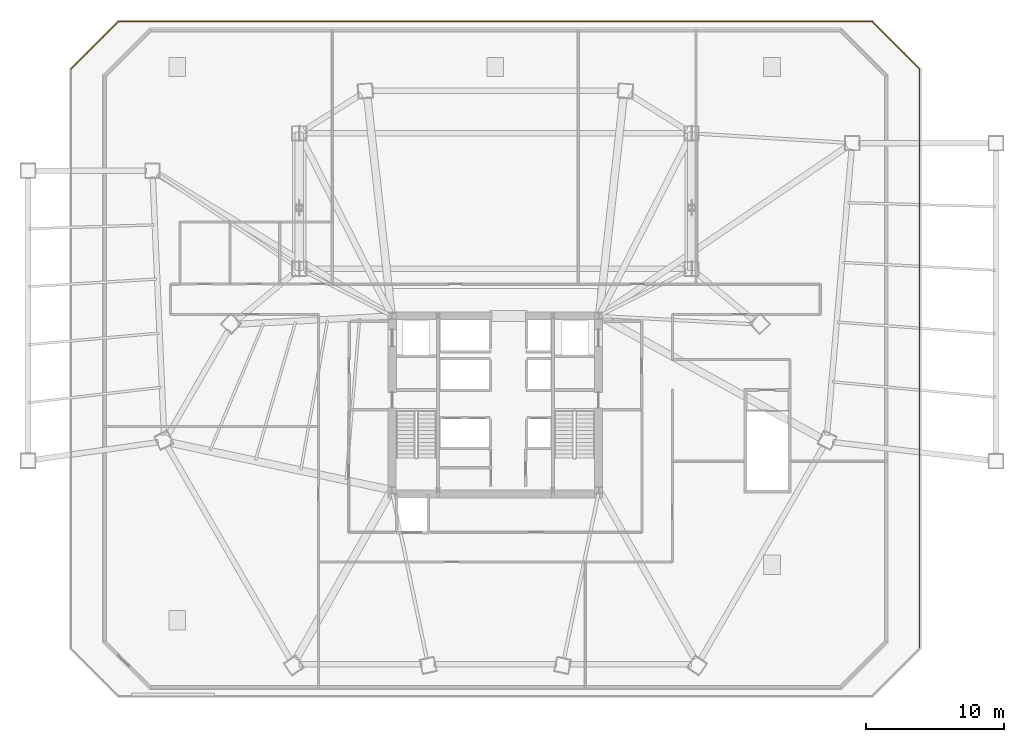
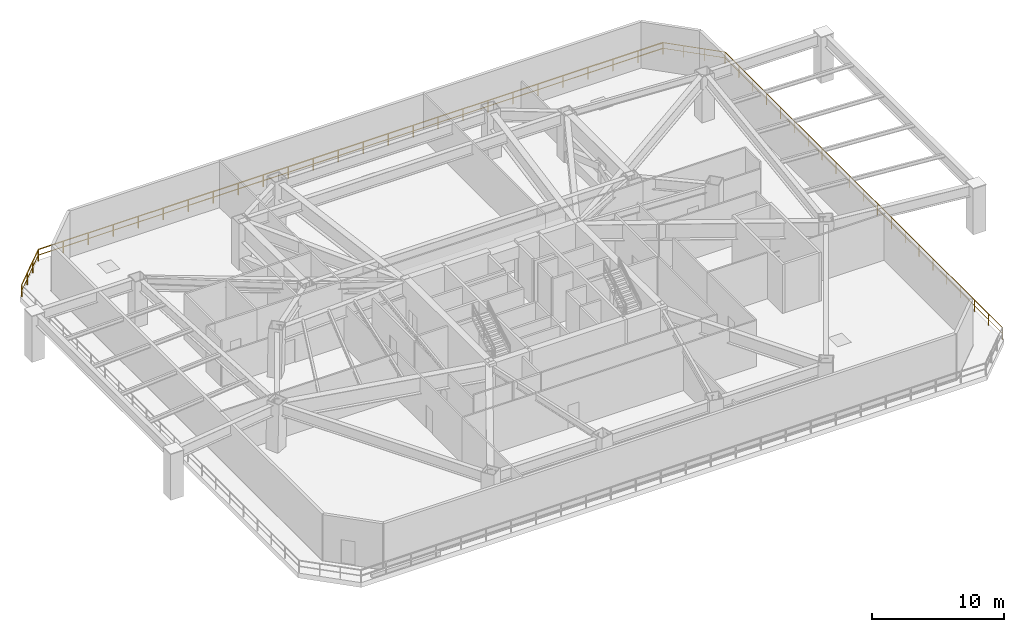
# One storey, part 13 of 13: 4 railings.
"""IFC4 building model written with IfcOpenShell, lengths in metres."""

from ifc_helpers import new_model, si_unit, direction, frame, origin, origin_2d, place, context, subcontext, project, spatial, rectangle, extrude, material, layer, layer_set, type_object, element, save


model = new_model("IFC4")

# Units and contexts
model_context = context("Model", 3, precision=1e-05, world=origin(), true_north=direction((0.0, 1.0)))
body_context = subcontext(model_context, "Body", "Model", "MODEL_VIEW")
ifc_project = project(units=[si_unit("LENGTHUNIT", "METRE"), si_unit("AREAUNIT", "SQUARE_METRE"), si_unit("VOLUMEUNIT", "CUBIC_METRE"), si_unit("PLANEANGLEUNIT", "RADIAN"), si_unit("MASSUNIT", "GRAM", prefix="KILO")], contexts=[model_context])

# Site, building, storey
site_placement = place(None, origin())
site = spatial("IfcSite", under=ifc_project, at=site_placement, CompositionType="ELEMENT")
building_placement = place(site_placement, origin())
building = spatial("IfcBuilding", under=site, at=building_placement, Name="Caelisora Broadcast Tower", CompositionType="ELEMENT")
storey_placement = place(building_placement, frame((0.0, 0.0, 23.10009765625)))
storey = spatial("IfcBuildingStorey", under=building, at=storey_placement, Name="L05", CompositionType="ELEMENT", Elevation=23.10009765625)

# Railings
ifc_material = material(Name="Laminated Glass and Stainless Steel Terrace Balustrade", Category="steel")
ifc_layer = layer(ifc_material, 0.048095703125, Name="Laminated Glass and Stainless Steel Terrace Balustrade")
ifc_layer_set = layer_set([ifc_layer], Name="Laminated Glass and Stainless Steel Terrace Balustrade")
railing_type = type_object("IfcRailingType", Name="BL-1", PredefinedType="BALUSTRADE", material=ifc_layer_set)
railing_1_placement = place(storey_placement, frame((7.320068359375, 47.85009765625, 0.0)))
element("IfcRailing", 1, at=railing_1_placement, inside=storey, type_object=railing_type, Name="L05 balustrade BL-1 #03", PredefinedType="BALUSTRADE", context=body_context, shape_type="SweptSolid", body=[
    extrude(rectangle(XDim=0.048095703125, YDim=0.048095703125, at=origin_2d()), frame((0.0, 0.0, 1.076171875), z_axis=(0.707106781187, 0.707106781187, 0.0), x_axis=(-0.707106781187, 0.707106781187, 0.0)), (0.0, 0.0, 1.0), 4.8505859375),
    extrude(rectangle(XDim=0.03125, YDim=0.03125, at=origin_2d()), frame((0.0, 0.0, 0.550048828125), z_axis=(0.707106781187, 0.707106781187, 0.0), x_axis=(-0.707106781187, 0.707106781187, 0.0)), (0.0, 0.0, 1.0), 4.8505859375),
    extrude(rectangle(XDim=0.0419921875, YDim=0.0419921875, at=origin_2d()), origin(), (0.0, 0.0, 1.0), 1.052001953125),
    extrude(rectangle(XDim=0.0419921875, YDim=0.0419921875, at=origin_2d()), frame((1.143310546875, 1.143310546875, 0.0)), (0.0, 0.0, 1.0), 1.052001953125),
    extrude(rectangle(XDim=0.0419921875, YDim=0.0419921875, at=origin_2d()), frame((2.28662109375, 2.28662109375, 0.0)), (0.0, 0.0, 1.0), 1.052001953125),
    extrude(rectangle(XDim=0.0419921875, YDim=0.0419921875, at=origin_2d()), frame((3.429931640625, 3.429931640625, 0.0)), (0.0, 0.0, 1.0), 1.052001953125),
])
railing_2_placement = place(storey_placement, frame((10.75, 51.280029296875, 0.0)))
element("IfcRailing", 2, at=railing_2_placement, inside=storey, type_object=railing_type, Name="L05 balustrade BL-1 #04", PredefinedType="BALUSTRADE", context=body_context, shape_type="SweptSolid", body=[
    extrude(rectangle(XDim=0.048095703125, YDim=0.048095703125, at=origin_2d()), frame((0.0, 0.0, 1.076171875), z_axis=(1.0, 0.0, 0.0), x_axis=(0.0, 1.0, 0.0)), (0.0, 0.0, 1.0), 54.5),
    extrude(rectangle(XDim=0.03125, YDim=0.03125, at=origin_2d()), frame((0.0, 0.0, 0.550048828125), z_axis=(1.0, 0.0, 0.0), x_axis=(0.0, 1.0, 0.0)), (0.0, 0.0, 1.0), 54.5),
    extrude(rectangle(XDim=0.0419921875, YDim=0.0419921875, at=origin_2d()), origin(), (0.0, 0.0, 1.0), 1.052001953125),
    extrude(rectangle(XDim=0.0419921875, YDim=0.0419921875, at=origin_2d()), frame((2.179931640625, 0.0, 0.0)), (0.0, 0.0, 1.0), 1.052001953125),
    extrude(rectangle(XDim=0.0419921875, YDim=0.0419921875, at=origin_2d()), frame((4.360107421875, 0.0, 0.0)), (0.0, 0.0, 1.0), 1.052001953125),
    extrude(rectangle(XDim=0.0419921875, YDim=0.0419921875, at=origin_2d()), frame((6.5400390625, 0.0, 0.0)), (0.0, 0.0, 1.0), 1.052001953125),
    extrude(rectangle(XDim=0.0419921875, YDim=0.0419921875, at=origin_2d()), frame((8.719970703125, 0.0, 0.0)), (0.0, 0.0, 1.0), 1.052001953125),
    extrude(rectangle(XDim=0.0419921875, YDim=0.0419921875, at=origin_2d()), frame((10.89990234375, 0.0, 0.0)), (0.0, 0.0, 1.0), 1.052001953125),
    extrude(rectangle(XDim=0.0419921875, YDim=0.0419921875, at=origin_2d()), frame((13.080078125, 0.0, 0.0)), (0.0, 0.0, 1.0), 1.052001953125),
    extrude(rectangle(XDim=0.0419921875, YDim=0.0419921875, at=origin_2d()), frame((15.260009765625, 0.0, 0.0)), (0.0, 0.0, 1.0), 1.052001953125),
    extrude(rectangle(XDim=0.0419921875, YDim=0.0419921875, at=origin_2d()), frame((17.43994140625, 0.0, 0.0)), (0.0, 0.0, 1.0), 1.052001953125),
    extrude(rectangle(XDim=0.0419921875, YDim=0.0419921875, at=origin_2d()), frame((19.6201171875, 0.0, 0.0)), (0.0, 0.0, 1.0), 1.052001953125),
    extrude(rectangle(XDim=0.0419921875, YDim=0.0419921875, at=origin_2d()), frame((21.800048828125, 0.0, 0.0)), (0.0, 0.0, 1.0), 1.052001953125),
    extrude(rectangle(XDim=0.0419921875, YDim=0.0419921875, at=origin_2d()), frame((23.97998046875, 0.0, 0.0)), (0.0, 0.0, 1.0), 1.052001953125),
    extrude(rectangle(XDim=0.0419921875, YDim=0.0419921875, at=origin_2d()), frame((26.159912109375, 0.0, 0.0)), (0.0, 0.0, 1.0), 1.052001953125),
    extrude(rectangle(XDim=0.0419921875, YDim=0.0419921875, at=origin_2d()), frame((28.340087890625, 0.0, 0.0)), (0.0, 0.0, 1.0), 1.052001953125),
    extrude(rectangle(XDim=0.0419921875, YDim=0.0419921875, at=origin_2d()), frame((30.52001953125, 0.0, 0.0)), (0.0, 0.0, 1.0), 1.052001953125),
    extrude(rectangle(XDim=0.0419921875, YDim=0.0419921875, at=origin_2d()), frame((32.699951171875, 0.0, 0.0)), (0.0, 0.0, 1.0), 1.052001953125),
    extrude(rectangle(XDim=0.0419921875, YDim=0.0419921875, at=origin_2d()), frame((34.8798828125, 0.0, 0.0)), (0.0, 0.0, 1.0), 1.052001953125),
    extrude(rectangle(XDim=0.0419921875, YDim=0.0419921875, at=origin_2d()), frame((37.06005859375, 0.0, 0.0)), (0.0, 0.0, 1.0), 1.052001953125),
    extrude(rectangle(XDim=0.0419921875, YDim=0.0419921875, at=origin_2d()), frame((39.239990234375, 0.0, 0.0)), (0.0, 0.0, 1.0), 1.052001953125),
    extrude(rectangle(XDim=0.0419921875, YDim=0.0419921875, at=origin_2d()), frame((41.419921875, 0.0, 0.0)), (0.0, 0.0, 1.0), 1.052001953125),
    extrude(rectangle(XDim=0.0419921875, YDim=0.0419921875, at=origin_2d()), frame((43.60009765625, 0.0, 0.0)), (0.0, 0.0, 1.0), 1.052001953125),
    extrude(rectangle(XDim=0.0419921875, YDim=0.0419921875, at=origin_2d()), frame((45.780029296875, 0.0, 0.0)), (0.0, 0.0, 1.0), 1.052001953125),
    extrude(rectangle(XDim=0.0419921875, YDim=0.0419921875, at=origin_2d()), frame((47.9599609375, 0.0, 0.0)), (0.0, 0.0, 1.0), 1.052001953125),
    extrude(rectangle(XDim=0.0419921875, YDim=0.0419921875, at=origin_2d()), frame((50.139892578125, 0.0, 0.0)), (0.0, 0.0, 1.0), 1.052001953125),
    extrude(rectangle(XDim=0.0419921875, YDim=0.0419921875, at=origin_2d()), frame((52.320068359375, 0.0, 0.0)), (0.0, 0.0, 1.0), 1.052001953125),
    extrude(rectangle(XDim=0.0419921875, YDim=0.0419921875, at=origin_2d()), frame((54.5, 0.0, 0.0)), (0.0, 0.0, 1.0), 1.052001953125),
])
railing_3_placement = place(storey_placement, frame((65.25, 51.280029296875, 0.0)))
element("IfcRailing", 3, at=railing_3_placement, inside=storey, type_object=railing_type, Name="L05 balustrade BL-1 #05", PredefinedType="BALUSTRADE", context=body_context, shape_type="SweptSolid", body=[
    extrude(rectangle(XDim=0.048095703125, YDim=0.048095703125, at=origin_2d()), frame((0.0, 0.0, 1.076171875), z_axis=(0.707106781187, -0.707106781187, 0.0), x_axis=(0.707106781187, 0.707106781187, 0.0)), (0.0, 0.0, 1.0), 4.8505859375),
    extrude(rectangle(XDim=0.03125, YDim=0.03125, at=origin_2d()), frame((0.0, 0.0, 0.550048828125), z_axis=(0.707106781187, -0.707106781187, 0.0), x_axis=(0.707106781187, 0.707106781187, 0.0)), (0.0, 0.0, 1.0), 4.8505859375),
    extrude(rectangle(XDim=0.0419921875, YDim=0.0419921875, at=origin_2d()), origin(), (0.0, 0.0, 1.0), 1.052001953125),
    extrude(rectangle(XDim=0.0419921875, YDim=0.0419921875, at=origin_2d()), frame((1.143310546875, -1.143310546875, 0.0)), (0.0, 0.0, 1.0), 1.052001953125),
    extrude(rectangle(XDim=0.0419921875, YDim=0.0419921875, at=origin_2d()), frame((2.28662109375, -2.28662109375, 0.0)), (0.0, 0.0, 1.0), 1.052001953125),
    extrude(rectangle(XDim=0.0419921875, YDim=0.0419921875, at=origin_2d()), frame((3.429931640625, -3.429931640625, 0.0)), (0.0, 0.0, 1.0), 1.052001953125),
])
railing_4_placement = place(storey_placement, frame((68.679931640625, 47.85009765625, 0.0)))
element("IfcRailing", 4, at=railing_4_placement, inside=storey, type_object=railing_type, Name="L05 balustrade BL-1 #06", PredefinedType="BALUSTRADE", context=body_context, shape_type="SweptSolid", body=[
    extrude(rectangle(XDim=0.048095703125, YDim=0.048095703125, at=origin_2d()), frame((0.0, 0.0, 1.076171875), z_axis=(0.0, -1.0, 0.0), x_axis=(1.0, 0.0, 0.0)), (0.0, 0.0, 1.0), 41.900146484375),
    extrude(rectangle(XDim=0.03125, YDim=0.03125, at=origin_2d()), frame((0.0, 0.0, 0.550048828125), z_axis=(0.0, -1.0, 0.0), x_axis=(1.0, 0.0, 0.0)), (0.0, 0.0, 1.0), 41.900146484375),
    extrude(rectangle(XDim=0.0419921875, YDim=0.0419921875, at=origin_2d()), origin(), (0.0, 0.0, 1.0), 1.052001953125),
    extrude(rectangle(XDim=0.0419921875, YDim=0.0419921875, at=origin_2d()), frame((0.0, -2.094970703125, 0.0)), (0.0, 0.0, 1.0), 1.052001953125),
    extrude(rectangle(XDim=0.0419921875, YDim=0.0419921875, at=origin_2d()), frame((0.0, -4.18994140625, 0.0)), (0.0, 0.0, 1.0), 1.052001953125),
    extrude(rectangle(XDim=0.0419921875, YDim=0.0419921875, at=origin_2d()), frame((0.0, -6.284912109375, 0.0)), (0.0, 0.0, 1.0), 1.052001953125),
    extrude(rectangle(XDim=0.0419921875, YDim=0.0419921875, at=origin_2d()), frame((0.0, -8.380126953125, 0.0)), (0.0, 0.0, 1.0), 1.052001953125),
    extrude(rectangle(XDim=0.0419921875, YDim=0.0419921875, at=origin_2d()), frame((0.0, -10.47509765625, 0.0)), (0.0, 0.0, 1.0), 1.052001953125),
    extrude(rectangle(XDim=0.0419921875, YDim=0.0419921875, at=origin_2d()), frame((0.0, -12.570068359375, 0.0)), (0.0, 0.0, 1.0), 1.052001953125),
    extrude(rectangle(XDim=0.0419921875, YDim=0.0419921875, at=origin_2d()), frame((0.0, -14.6650390625, 0.0)), (0.0, 0.0, 1.0), 1.052001953125),
    extrude(rectangle(XDim=0.0419921875, YDim=0.0419921875, at=origin_2d()), frame((0.0, -16.760009765625, 0.0)), (0.0, 0.0, 1.0), 1.052001953125),
    extrude(rectangle(XDim=0.0419921875, YDim=0.0419921875, at=origin_2d()), frame((0.0, -18.85498046875, 0.0)), (0.0, 0.0, 1.0), 1.052001953125),
    extrude(rectangle(XDim=0.0419921875, YDim=0.0419921875, at=origin_2d()), frame((0.0, -20.9501953125, 0.0)), (0.0, 0.0, 1.0), 1.052001953125),
    extrude(rectangle(XDim=0.0419921875, YDim=0.0419921875, at=origin_2d()), frame((0.0, -23.045166015625, 0.0)), (0.0, 0.0, 1.0), 1.052001953125),
    extrude(rectangle(XDim=0.0419921875, YDim=0.0419921875, at=origin_2d()), frame((0.0, -25.14013671875, 0.0)), (0.0, 0.0, 1.0), 1.052001953125),
    extrude(rectangle(XDim=0.0419921875, YDim=0.0419921875, at=origin_2d()), frame((0.0, -27.235107421875, 0.0)), (0.0, 0.0, 1.0), 1.052001953125),
    extrude(rectangle(XDim=0.0419921875, YDim=0.0419921875, at=origin_2d()), frame((0.0, -29.330078125, 0.0)), (0.0, 0.0, 1.0), 1.052001953125),
    extrude(rectangle(XDim=0.0419921875, YDim=0.0419921875, at=origin_2d()), frame((0.0, -31.425048828125, 0.0)), (0.0, 0.0, 1.0), 1.052001953125),
    extrude(rectangle(XDim=0.0419921875, YDim=0.0419921875, at=origin_2d()), frame((0.0, -33.52001953125, 0.0)), (0.0, 0.0, 1.0), 1.052001953125),
    extrude(rectangle(XDim=0.0419921875, YDim=0.0419921875, at=origin_2d()), frame((0.0, -35.615234375, 0.0)), (0.0, 0.0, 1.0), 1.052001953125),
    extrude(rectangle(XDim=0.0419921875, YDim=0.0419921875, at=origin_2d()), frame((0.0, -37.710205078125, 0.0)), (0.0, 0.0, 1.0), 1.052001953125),
    extrude(rectangle(XDim=0.0419921875, YDim=0.0419921875, at=origin_2d()), frame((0.0, -39.80517578125, 0.0)), (0.0, 0.0, 1.0), 1.052001953125),
    extrude(rectangle(XDim=0.0419921875, YDim=0.0419921875, at=origin_2d()), frame((0.0, -41.900146484375, 0.0)), (0.0, 0.0, 1.0), 1.052001953125),
])

save(model, "model.ifc")
